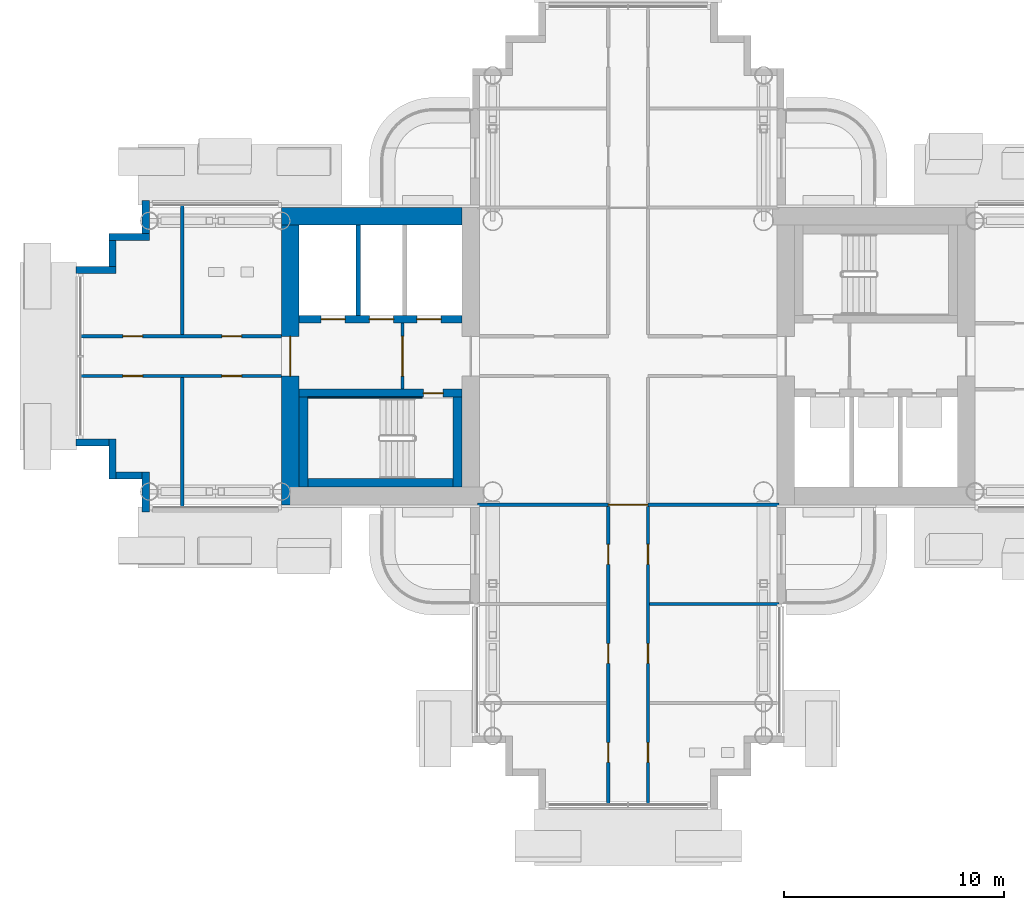
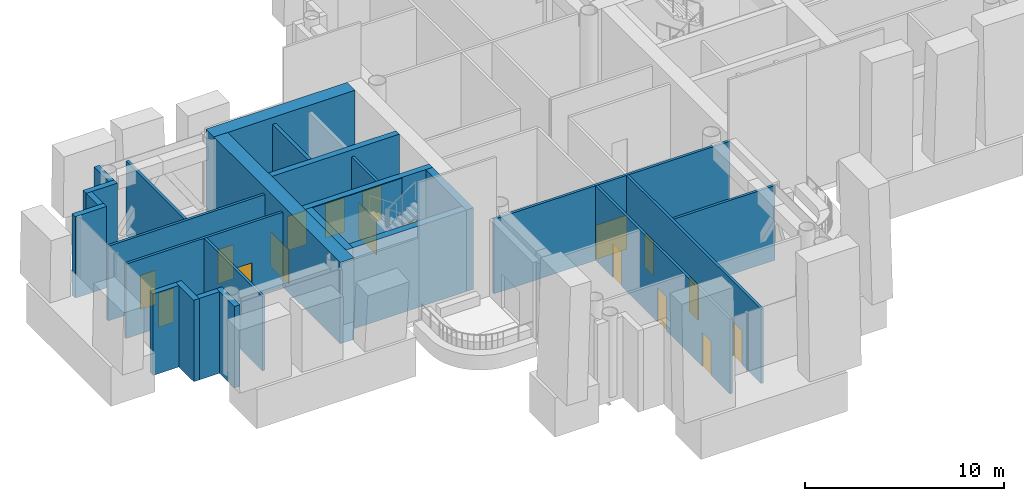
# One storey, part 12 of 34: 26 walls, 17 doors, 17 openings.
"""IFC4 building model written with IfcOpenShell, lengths in metres."""

from ifc_helpers import new_model, si_unit, direction, frame, frame_2d, origin, place, context, subcontext, project, spatial, rectangle, extrude, material, layer, layer_set, type_object, element, fill, save


model = new_model("IFC4")

# Units and contexts
model_context = context("Model", 3, precision=1e-05, world=origin(), true_north=direction((0.0, 1.0)))
body_context = subcontext(model_context, "Body", "Model", "MODEL_VIEW")
ifc_project = project(units=[si_unit("LENGTHUNIT", "METRE"), si_unit("AREAUNIT", "SQUARE_METRE"), si_unit("VOLUMEUNIT", "CUBIC_METRE"), si_unit("PLANEANGLEUNIT", "RADIAN"), si_unit("MASSUNIT", "GRAM", prefix="KILO")], contexts=[model_context])

# Site, building, storey
site_placement = place(None, origin())
site = spatial("IfcSite", under=ifc_project, at=site_placement, CompositionType="ELEMENT")
building_placement = place(site_placement, origin())
building = spatial("IfcBuilding", under=site, at=building_placement, Name="Ipe Terrace Towers", CompositionType="ELEMENT")
storey_placement = place(building_placement, frame((0.0, 0.0, 128.699951171875)))
storey = spatial("IfcBuildingStorey", under=building, at=storey_placement, Name="L35", CompositionType="ELEMENT", Elevation=128.699951171875)

# Walls
ifc_material_1 = material(Name="Concrete C40/50 with buff precast cladding", Category="concrete")
ifc_layer_1 = layer(ifc_material_1, 0.320068359375)
ifc_layer_set_1 = layer_set([ifc_layer_1], Name="BUFF CLADDING WALL 320")
wall_type_1 = type_object("IfcWallType", Name="BUFF CLADDING WALL 320", PredefinedType="STANDARD", material=ifc_layer_set_1)
wall_1_placement = place(storey_placement, frame((-61.070068359375, -3.909912109375, -0.300048828125), z_axis=(0.0, 0.0, 1.0), x_axis=(1.0, 0.0, 0.0)))
element("IfcWall", 1, at=wall_1_placement, inside=storey, type_object=wall_type_1, Name="T1-W-L35-00a wall", PredefinedType="STANDARD", context=body_context, shape_type="SweptSolid", body=[
    extrude(rectangle(XDim=1.5, YDim=0.320068359375, at=frame_2d((0.75, 0.0))), origin(), (0.0, 0.0, 1.0), 5.0),
])
wall_2_placement = place(storey_placement, frame((-59.409912109375, -3.75, -0.300048828125), z_axis=(0.0, 0.0, 1.0), x_axis=(0.0, -1.0, 0.0)))
element("IfcWall", 2, at=wall_2_placement, inside=storey, type_object=wall_type_1, Name="T1-W-L35-01a wall", PredefinedType="STANDARD", context=body_context, shape_type="SweptSolid", body=[
    extrude(rectangle(XDim=1.820068359375, YDim=0.320068359375, at=frame_2d((0.91015625, 0.0))), origin(), (0.0, 0.0, 1.0), 5.0),
])
wall_3_placement = place(storey_placement, frame((-59.25, -5.409912109375, -0.300048828125), z_axis=(0.0, 0.0, 1.0), x_axis=(1.0, 0.0, 0.0)))
element("IfcWall", 3, at=wall_3_placement, inside=storey, type_object=wall_type_1, Name="T1-W-L35-02a wall", PredefinedType="STANDARD", context=body_context, shape_type="SweptSolid", body=[
    extrude(rectangle(XDim=1.179931640625, YDim=0.320068359375, at=frame_2d((0.58984375, 0.0))), origin(), (0.0, 0.0, 1.0), 5.0),
])
wall_4_placement = place(storey_placement, frame((-57.909912109375, -5.25, -0.300048828125), z_axis=(0.0, 0.0, 1.0), x_axis=(0.0, -1.0, 0.0)))
element("IfcWall", 4, at=wall_4_placement, inside=storey, type_object=wall_type_1, Name="T1-W-L35-03a wall", PredefinedType="STANDARD", context=body_context, shape_type="SweptSolid", body=[
    extrude(rectangle(XDim=1.820068359375, YDim=0.320068359375, at=frame_2d((0.91015625, 0.0))), origin(), (0.0, 0.0, 1.0), 5.0),
])
wall_5_placement = place(storey_placement, frame((-57.909912109375, 7.070068359375, -0.300048828125), z_axis=(0.0, 0.0, 1.0), x_axis=(0.0, -1.0, 0.0)))
element("IfcWall", 5, at=wall_5_placement, inside=storey, type_object=wall_type_1, Name="T1-W-L35-47a wall", PredefinedType="STANDARD", context=body_context, shape_type="SweptSolid", body=[
    extrude(rectangle(XDim=1.5, YDim=0.320068359375, at=frame_2d((0.75, 0.0))), origin(), (0.0, 0.0, 1.0), 5.0),
])
wall_6_placement = place(storey_placement, frame((-57.75, 5.409912109375, -0.300048828125), z_axis=(0.0, 0.0, 1.0), x_axis=(-1.0, 0.0, 0.0)))
element("IfcWall", 6, at=wall_6_placement, inside=storey, type_object=wall_type_1, Name="T1-W-L35-48a wall", PredefinedType="STANDARD", context=body_context, shape_type="SweptSolid", body=[
    extrude(rectangle(XDim=1.820068359375, YDim=0.320068359375, at=frame_2d((0.91015625, 0.0))), origin(), (0.0, 0.0, 1.0), 5.0),
])
wall_7_placement = place(storey_placement, frame((-59.409912109375, 5.25, -0.300048828125), z_axis=(0.0, 0.0, 1.0), x_axis=(0.0, -1.0, 0.0)))
element("IfcWall", 7, at=wall_7_placement, inside=storey, type_object=wall_type_1, Name="T1-W-L35-49a wall", PredefinedType="STANDARD", context=body_context, shape_type="SweptSolid", body=[
    extrude(rectangle(XDim=1.179931640625, YDim=0.320068359375, at=frame_2d((0.58984375, 0.0))), origin(), (0.0, 0.0, 1.0), 5.0),
])
wall_8_placement = place(storey_placement, frame((-59.25, 3.909912109375, -0.300048828125), z_axis=(0.0, 0.0, 1.0), x_axis=(-1.0, 0.0, 0.0)))
element("IfcWall", 8, at=wall_8_placement, inside=storey, type_object=wall_type_1, Name="T1-W-L35-50a wall", PredefinedType="STANDARD", context=body_context, shape_type="SweptSolid", body=[
    extrude(rectangle(XDim=1.820068359375, YDim=0.320068359375, at=frame_2d((0.91015625, 0.0))), origin(), (0.0, 0.0, 1.0), 5.0),
])

# Wall, opening, door
ifc_material_2 = material(Name="Gypsum board partition", Category="plasterboard")
ifc_layer_2 = layer(ifc_material_2, 0.14990234375)
ifc_layer_set_2 = layer_set([ifc_layer_2], Name="Gypsum board partition 150 mm")
wall_type_2 = type_object("IfcWallType", Name="Gypsum board partition 150 mm", PredefinedType="PARTITIONING", material=ifc_layer_set_2)
wall_9_placement = place(storey_placement, frame((-46.25, 1.5, 0.0), z_axis=(0.0, 0.0, 1.0), x_axis=(0.0, -1.0, 0.0)))
wall_9 = element("IfcWall", 9, at=wall_9_placement, inside=storey, type_object=wall_type_2, Name="Gypsum board partition T1 L35 t1c2-lobby-wall", PredefinedType="PARTITIONING", context=body_context, shape_type="SweptSolid", body=[
    extrude(rectangle(XDim=3.0, YDim=0.14990234375, at=frame_2d((1.5, 0.0))), origin(), (0.0, 0.0, 1.0), 4.580078125),
])
opening_1_placement = place(wall_9_placement, frame((0.60009765625, 0.0, 0.0)))
opening_1 = element("IfcOpeningElement", 10, at=opening_1_placement, cuts=wall_9, Name="Opening T1C2-VD", PredefinedType="OPENING", context=body_context, shape_type="SweptSolid", body=[
    extrude(rectangle(XDim=1.800048828125, YDim=2.10009765625, at=frame_2d((0.89990234375, 1.050048828125))), frame((0.0, 0.0849609375, 0.0), z_axis=(0.0, -1.0, 0.0), x_axis=(1.0, 0.0, 0.0)), (0.0, 0.0, 1.0), 0.169921875),
])
ifc_material_3 = material(Name="Fire-rated timber door leaf", Category="wood")
door_type_1 = type_object("IfcDoorType", Name="Lobby door 1800 x 2100 FD60", OperationType="NOTDEFINED", PredefinedType="DOOR", material=ifc_material_3)
door_1_placement = place(opening_1_placement, origin())
door_1 = element("IfcDoor", 11, at=door_1_placement, inside=storey, type_object=door_type_1, Name="Lobby door T1C2-VD", OperationType="SINGLE_SWING_LEFT", OverallHeight=2.10009765625, OverallWidth=1.800048828125, PredefinedType="DOOR", context=body_context, shape_type="SweptSolid", body=[
    extrude(rectangle(XDim=1.800048828125, YDim=2.10009765625, at=frame_2d((0.89990234375, 1.050048828125))), frame((0.0, 0.02490234375, 0.0), z_axis=(0.0, -1.0, 0.0), x_axis=(1.0, 0.0, 0.0)), (0.0, 0.0, 1.0), 0.050048828125),
])
fill(opening_1, door_1)

# Wall, openings, doors
wall_10_placement = place(storey_placement, frame((-60.85009765625, 0.89990234375, 0.0), z_axis=(0.0, 0.0, 1.0), x_axis=(1.0, 0.0, 0.0)))
wall_10 = element("IfcWall", 12, at=wall_10_placement, inside=storey, type_object=wall_type_2, Name="Gypsum board partition T1 L35 sp-Lm-wp", PredefinedType="PARTITIONING", context=body_context, shape_type="SweptSolid", body=[
    extrude(rectangle(XDim=9.10009765625, YDim=0.14990234375, at=frame_2d((4.550048828125, 0.0))), origin(), (0.0, 0.0, 1.0), 4.580078125),
])
opening_2_placement = place(wall_10_placement, frame((1.89990234375, 0.0, 0.0)))
opening_2 = element("IfcOpeningElement", 13, at=opening_2_placement, cuts=wall_10, Name="Opening T1-SP-PLm1", PredefinedType="OPENING", context=body_context, shape_type="SweptSolid", body=[
    extrude(rectangle(XDim=0.89990234375, YDim=2.10009765625, at=frame_2d((0.449951171875, 1.050048828125))), frame((0.0, 0.0849609375, 0.0), z_axis=(0.0, -1.0, 0.0), x_axis=(1.0, 0.0, 0.0)), (0.0, 0.0, 1.0), 0.169921875),
])
opening_3_placement = place(wall_10_placement, frame((6.39990234375, 0.0, 0.0)))
opening_3 = element("IfcOpeningElement", 14, at=opening_3_placement, cuts=wall_10, Name="Opening T1-SP-PLm2", PredefinedType="OPENING", context=body_context, shape_type="SweptSolid", body=[
    extrude(rectangle(XDim=0.89990234375, YDim=2.10009765625, at=frame_2d((0.449951171875, 1.050048828125))), frame((0.0, 0.0849609375, 0.0), z_axis=(0.0, -1.0, 0.0), x_axis=(1.0, 0.0, 0.0)), (0.0, 0.0, 1.0), 0.169921875),
])
ifc_material_4 = material(Name="Timber door leaf", Category="wood")
door_type_2 = type_object("IfcDoorType", Name="Lounge door 900 x 2100", OperationType="NOTDEFINED", PredefinedType="DOOR", material=ifc_material_4)
door_2_placement = place(opening_3_placement, origin())
door_2 = element("IfcDoor", 15, at=door_2_placement, inside=storey, type_object=door_type_2, Name="Lounge door T1-SP-PLm2", OperationType="SINGLE_SWING_LEFT", OverallHeight=2.10009765625, OverallWidth=0.89990234375, PredefinedType="DOOR", context=body_context, shape_type="SweptSolid", body=[
    extrude(rectangle(XDim=0.89990234375, YDim=2.10009765625, at=frame_2d((0.449951171875, 1.050048828125))), frame((0.0, 0.02490234375, 0.0), z_axis=(0.0, -1.0, 0.0), x_axis=(1.0, 0.0, 0.0)), (0.0, 0.0, 1.0), 0.050048828125),
])
fill(opening_3, door_2)
ifc_material_5 = material(Name="Fire-rated timber door leaf", Category="wood")
door_type_3 = type_object("IfcDoorType", Name="Lounge door 900 x 2100 FD30S", OperationType="NOTDEFINED", PredefinedType="DOOR", material=ifc_material_5)
door_3_placement = place(opening_2_placement, origin())
door_3 = element("IfcDoor", 16, at=door_3_placement, inside=storey, type_object=door_type_3, Name="Lounge door T1-SP-PLm1", OperationType="SINGLE_SWING_RIGHT", OverallHeight=2.10009765625, OverallWidth=0.89990234375, PredefinedType="DOOR", context=body_context, shape_type="SweptSolid", body=[
    extrude(rectangle(XDim=0.89990234375, YDim=2.10009765625, at=frame_2d((0.449951171875, 1.050048828125))), frame((0.0, 0.02490234375, 0.0), z_axis=(0.0, -1.0, 0.0), x_axis=(1.0, 0.0, 0.0)), (0.0, 0.0, 1.0), 0.050048828125),
])
fill(opening_2, door_3)

# Wall
wall_11_placement = place(storey_placement, frame((-56.25, 0.97509765625, 0.0), z_axis=(0.0, 0.0, 1.0), x_axis=(0.0, 1.0, 0.0)))
element("IfcWall", 17, at=wall_11_placement, inside=storey, type_object=wall_type_2, Name="Gypsum board partition T1 L35 sp-Lm-dp1", PredefinedType="PARTITIONING", context=body_context, shape_type="SweptSolid", body=[
    extrude(rectangle(XDim=5.875, YDim=0.14990234375, at=frame_2d((2.9375, 0.0))), origin(), (0.0, 0.0, 1.0), 4.580078125),
])

# Wall, openings, doors
wall_12_placement = place(storey_placement, frame((-60.85009765625, -0.89990234375, 0.0), z_axis=(0.0, 0.0, 1.0), x_axis=(1.0, 0.0, 0.0)))
wall_12 = element("IfcWall", 18, at=wall_12_placement, inside=storey, type_object=wall_type_2, Name="Gypsum board partition T1 L35 sp-Lm-wm", PredefinedType="PARTITIONING", context=body_context, shape_type="SweptSolid", body=[
    extrude(rectangle(XDim=9.10009765625, YDim=0.14990234375, at=frame_2d((4.550048828125, 0.0))), origin(), (0.0, 0.0, 1.0), 4.580078125),
])
opening_4_placement = place(wall_12_placement, frame((1.89990234375, 0.0, 0.0)))
opening_4 = element("IfcOpeningElement", 19, at=opening_4_placement, cuts=wall_12, Name="Opening T1-SP-MLm1", PredefinedType="OPENING", context=body_context, shape_type="SweptSolid", body=[
    extrude(rectangle(XDim=0.89990234375, YDim=2.10009765625, at=frame_2d((0.449951171875, 1.050048828125))), frame((0.0, 0.0849609375, 0.0), z_axis=(0.0, -1.0, 0.0), x_axis=(1.0, 0.0, 0.0)), (0.0, 0.0, 1.0), 0.169921875),
])
opening_5_placement = place(wall_12_placement, frame((6.39990234375, 0.0, 0.0)))
opening_5 = element("IfcOpeningElement", 20, at=opening_5_placement, cuts=wall_12, Name="Opening T1-SP-MLm2", PredefinedType="OPENING", context=body_context, shape_type="SweptSolid", body=[
    extrude(rectangle(XDim=0.89990234375, YDim=2.10009765625, at=frame_2d((0.449951171875, 1.050048828125))), frame((0.0, 0.0849609375, 0.0), z_axis=(0.0, -1.0, 0.0), x_axis=(1.0, 0.0, 0.0)), (0.0, 0.0, 1.0), 0.169921875),
])
door_4_placement = place(opening_4_placement, origin())
door_4 = element("IfcDoor", 21, at=door_4_placement, inside=storey, type_object=door_type_3, Name="Lounge door T1-SP-MLm1", OperationType="SINGLE_SWING_LEFT", OverallHeight=2.10009765625, OverallWidth=0.89990234375, PredefinedType="DOOR", context=body_context, shape_type="SweptSolid", body=[
    extrude(rectangle(XDim=0.89990234375, YDim=2.10009765625, at=frame_2d((0.449951171875, 1.050048828125))), frame((0.0, 0.02490234375, 0.0), z_axis=(0.0, -1.0, 0.0), x_axis=(1.0, 0.0, 0.0)), (0.0, 0.0, 1.0), 0.050048828125),
])
fill(opening_4, door_4)
door_5_placement = place(opening_5_placement, origin())
door_5 = element("IfcDoor", 22, at=door_5_placement, inside=storey, type_object=door_type_3, Name="Lounge door T1-SP-MLm2", OperationType="SINGLE_SWING_RIGHT", OverallHeight=2.10009765625, OverallWidth=0.89990234375, PredefinedType="DOOR", context=body_context, shape_type="SweptSolid", body=[
    extrude(rectangle(XDim=0.89990234375, YDim=2.10009765625, at=frame_2d((0.449951171875, 1.050048828125))), frame((0.0, 0.02490234375, 0.0), z_axis=(0.0, -1.0, 0.0), x_axis=(1.0, 0.0, 0.0)), (0.0, 0.0, 1.0), 0.050048828125),
])
fill(opening_5, door_5)

# Wall
wall_13_placement = place(storey_placement, frame((-56.25, -0.97509765625, 0.0), z_axis=(0.0, 0.0, 1.0), x_axis=(0.0, -1.0, 0.0)))
element("IfcWall", 23, at=wall_13_placement, inside=storey, type_object=wall_type_2, Name="Gypsum board partition T1 L35 sp-Lm-dm1", PredefinedType="PARTITIONING", context=body_context, shape_type="SweptSolid", body=[
    extrude(rectangle(XDim=5.875, YDim=0.14990234375, at=frame_2d((2.9375, 0.0))), origin(), (0.0, 0.0, 1.0), 4.580078125),
])

# Wall, opening, door
wall_14_placement = place(storey_placement, frame((-42.85009765625, -6.75, 0.0), z_axis=(0.0, 0.0, 1.0), x_axis=(1.0, 0.0, 0.0)))
wall_14 = element("IfcWall", 24, at=wall_14_placement, inside=storey, type_object=wall_type_2, Name="Gypsum board partition T1 L35 sp-Sm-mouth", PredefinedType="PARTITIONING", context=body_context, shape_type="SweptSolid", body=[
    extrude(rectangle(XDim=13.7001953125, YDim=0.14990234375, at=frame_2d((6.85009765625, 0.0))), origin(), (0.0, 0.0, 1.0), 4.580078125),
])
opening_6_placement = place(wall_14_placement, frame((5.949951171875, 0.0, 0.0)))
opening_6 = element("IfcOpeningElement", 25, at=opening_6_placement, cuts=wall_14, Name="Opening T1-SP-MSm", PredefinedType="OPENING", context=body_context, shape_type="SweptSolid", body=[
    extrude(rectangle(XDim=1.800048828125, YDim=2.10009765625, at=frame_2d((0.89990234375, 1.050048828125))), frame((0.0, 0.0849609375, 0.0), z_axis=(0.0, -1.0, 0.0), x_axis=(1.0, 0.0, 0.0)), (0.0, 0.0, 1.0), 0.169921875),
])
ifc_material_6 = material(Name="Fire-rated timber door leaf", Category="wood")
door_type_4 = type_object("IfcDoorType", Name="Lobby door 1800 x 2100 FD30S", OperationType="NOTDEFINED", PredefinedType="DOOR", material=ifc_material_6)
door_6_placement = place(opening_6_placement, origin())
door_6 = element("IfcDoor", 26, at=door_6_placement, inside=storey, type_object=door_type_4, Name="Lobby door T1-SP-MSm", OperationType="SINGLE_SWING_RIGHT", OverallHeight=2.10009765625, OverallWidth=1.800048828125, PredefinedType="DOOR", context=body_context, shape_type="SweptSolid", body=[
    extrude(rectangle(XDim=1.800048828125, YDim=2.10009765625, at=frame_2d((0.89990234375, 1.050048828125))), frame((0.0, 0.02490234375, 0.0), z_axis=(0.0, -1.0, 0.0), x_axis=(1.0, 0.0, 0.0)), (0.0, 0.0, 1.0), 0.050048828125),
])
fill(opening_6, door_6)

# Wall, openings, doors
wall_15_placement = place(storey_placement, frame((-35.10009765625, -20.35009765625, 0.0), z_axis=(0.0, 0.0, 1.0), x_axis=(0.0, 1.0, 0.0)))
wall_15 = element("IfcWall", 27, at=wall_15_placement, inside=storey, type_object=wall_type_2, Name="Gypsum board partition T1 L35 sp-Sm-wp", PredefinedType="PARTITIONING", context=body_context, shape_type="SweptSolid", body=[
    extrude(rectangle(XDim=13.525146484375, YDim=0.14990234375, at=frame_2d((6.7626953125, 0.0))), origin(), (0.0, 0.0, 1.0), 4.580078125),
])
opening_7_placement = place(wall_15_placement, frame((1.89990234375, 0.0, 0.0)))
opening_7 = element("IfcOpeningElement", 28, at=opening_7_placement, cuts=wall_15, Name="Opening T1-SP-PSm1-NR", PredefinedType="OPENING", context=body_context, shape_type="SweptSolid", body=[
    extrude(rectangle(XDim=0.89990234375, YDim=2.10009765625, at=frame_2d((0.449951171875, 1.050048828125))), frame((0.0, 0.0849609375, 0.0), z_axis=(0.0, -1.0, 0.0), x_axis=(1.0, 0.0, 0.0)), (0.0, 0.0, 1.0), 0.169921875),
])
opening_8_placement = place(wall_15_placement, frame((6.39990234375, 0.0, 0.0)))
opening_8 = element("IfcOpeningElement", 29, at=opening_8_placement, cuts=wall_15, Name="Opening T1-SP-PSm2", PredefinedType="OPENING", context=body_context, shape_type="SweptSolid", body=[
    extrude(rectangle(XDim=0.89990234375, YDim=2.10009765625, at=frame_2d((0.449951171875, 1.050048828125))), frame((0.0, 0.0849609375, 0.0), z_axis=(0.0, -1.0, 0.0), x_axis=(1.0, 0.0, 0.0)), (0.0, 0.0, 1.0), 0.169921875),
])
opening_9_placement = place(wall_15_placement, frame((10.89990234375, 0.0, 0.0)))
opening_9 = element("IfcOpeningElement", 30, at=opening_9_placement, cuts=wall_15, Name="Opening T1-SP-PSm3", PredefinedType="OPENING", context=body_context, shape_type="SweptSolid", body=[
    extrude(rectangle(XDim=0.89990234375, YDim=2.10009765625, at=frame_2d((0.449951171875, 1.050048828125))), frame((0.0, 0.0849609375, 0.0), z_axis=(0.0, -1.0, 0.0), x_axis=(1.0, 0.0, 0.0)), (0.0, 0.0, 1.0), 0.169921875),
])
door_7_placement = place(opening_7_placement, origin())
door_7 = element("IfcDoor", 31, at=door_7_placement, inside=storey, type_object=door_type_2, Name="Lounge door T1-SP-PSm1-NR", OperationType="SINGLE_SWING_LEFT", OverallHeight=2.10009765625, OverallWidth=0.89990234375, PredefinedType="DOOR", context=body_context, shape_type="SweptSolid", body=[
    extrude(rectangle(XDim=0.89990234375, YDim=2.10009765625, at=frame_2d((0.449951171875, 1.050048828125))), frame((0.0, 0.02490234375, 0.0), z_axis=(0.0, -1.0, 0.0), x_axis=(1.0, 0.0, 0.0)), (0.0, 0.0, 1.0), 0.050048828125),
])
fill(opening_7, door_7)
door_8_placement = place(opening_8_placement, origin())
door_8 = element("IfcDoor", 32, at=door_8_placement, inside=storey, type_object=door_type_3, Name="Lounge door T1-SP-PSm2", OperationType="SINGLE_SWING_RIGHT", OverallHeight=2.10009765625, OverallWidth=0.89990234375, PredefinedType="DOOR", context=body_context, shape_type="SweptSolid", body=[
    extrude(rectangle(XDim=0.89990234375, YDim=2.10009765625, at=frame_2d((0.449951171875, 1.050048828125))), frame((0.0, 0.02490234375, 0.0), z_axis=(0.0, -1.0, 0.0), x_axis=(1.0, 0.0, 0.0)), (0.0, 0.0, 1.0), 0.050048828125),
])
fill(opening_8, door_8)
door_9_placement = place(opening_9_placement, origin())
door_9 = element("IfcDoor", 33, at=door_9_placement, inside=storey, type_object=door_type_3, Name="Lounge door T1-SP-PSm3", OperationType="SINGLE_SWING_LEFT", OverallHeight=2.10009765625, OverallWidth=0.89990234375, PredefinedType="DOOR", context=body_context, shape_type="SweptSolid", body=[
    extrude(rectangle(XDim=0.89990234375, YDim=2.10009765625, at=frame_2d((0.449951171875, 1.050048828125))), frame((0.0, 0.02490234375, 0.0), z_axis=(0.0, -1.0, 0.0), x_axis=(1.0, 0.0, 0.0)), (0.0, 0.0, 1.0), 0.050048828125),
])
fill(opening_9, door_9)

# Wall
wall_16_placement = place(storey_placement, frame((-35.02490234375, -11.25, 0.0), z_axis=(0.0, 0.0, 1.0), x_axis=(1.0, 0.0, 0.0)))
element("IfcWall", 34, at=wall_16_placement, inside=storey, type_object=wall_type_2, Name="Gypsum board partition T1 L35 sp-Sm-dp2", PredefinedType="PARTITIONING", context=body_context, shape_type="SweptSolid", body=[
    extrude(rectangle(XDim=5.875, YDim=0.14990234375, at=frame_2d((2.9375, 0.0))), origin(), (0.0, 0.0, 1.0), 4.580078125),
])

# Wall, openings, doors
wall_17_placement = place(storey_placement, frame((-36.89990234375, -20.35009765625, 0.0), z_axis=(0.0, 0.0, 1.0), x_axis=(0.0, 1.0, 0.0)))
wall_17 = element("IfcWall", 35, at=wall_17_placement, inside=storey, type_object=wall_type_2, Name="Gypsum board partition T1 L35 sp-Sm-wm", PredefinedType="PARTITIONING", context=body_context, shape_type="SweptSolid", body=[
    extrude(rectangle(XDim=13.525146484375, YDim=0.14990234375, at=frame_2d((6.7626953125, 0.0))), origin(), (0.0, 0.0, 1.0), 4.580078125),
])
opening_10_placement = place(wall_17_placement, frame((1.89990234375, 0.0, 0.0)))
opening_10 = element("IfcOpeningElement", 36, at=opening_10_placement, cuts=wall_17, Name="Opening T1-SP-MSm1", PredefinedType="OPENING", context=body_context, shape_type="SweptSolid", body=[
    extrude(rectangle(XDim=0.89990234375, YDim=2.10009765625, at=frame_2d((0.449951171875, 1.050048828125))), frame((0.0, 0.0849609375, 0.0), z_axis=(0.0, -1.0, 0.0), x_axis=(1.0, 0.0, 0.0)), (0.0, 0.0, 1.0), 0.169921875),
])
opening_11_placement = place(wall_17_placement, frame((6.39990234375, 0.0, 0.0)))
opening_11 = element("IfcOpeningElement", 37, at=opening_11_placement, cuts=wall_17, Name="Opening T1-SP-MSm2", PredefinedType="OPENING", context=body_context, shape_type="SweptSolid", body=[
    extrude(rectangle(XDim=0.89990234375, YDim=2.10009765625, at=frame_2d((0.449951171875, 1.050048828125))), frame((0.0, 0.0849609375, 0.0), z_axis=(0.0, -1.0, 0.0), x_axis=(1.0, 0.0, 0.0)), (0.0, 0.0, 1.0), 0.169921875),
])
opening_12_placement = place(wall_17_placement, frame((10.89990234375, 0.0, 0.0)))
opening_12 = element("IfcOpeningElement", 38, at=opening_12_placement, cuts=wall_17, Name="Opening T1-SP-MSm3-FD30S", PredefinedType="OPENING", context=body_context, shape_type="SweptSolid", body=[
    extrude(rectangle(XDim=0.89990234375, YDim=2.10009765625, at=frame_2d((0.449951171875, 1.050048828125))), frame((0.0, 0.0849609375, 0.0), z_axis=(0.0, -1.0, 0.0), x_axis=(1.0, 0.0, 0.0)), (0.0, 0.0, 1.0), 0.169921875),
])
door_10_placement = place(opening_10_placement, origin())
door_10 = element("IfcDoor", 39, at=door_10_placement, inside=storey, type_object=door_type_3, Name="Lounge door T1-SP-MSm1", OperationType="SINGLE_SWING_RIGHT", OverallHeight=2.10009765625, OverallWidth=0.89990234375, PredefinedType="DOOR", context=body_context, shape_type="SweptSolid", body=[
    extrude(rectangle(XDim=0.89990234375, YDim=2.10009765625, at=frame_2d((0.449951171875, 1.050048828125))), frame((0.0, 0.02490234375, 0.0), z_axis=(0.0, -1.0, 0.0), x_axis=(1.0, 0.0, 0.0)), (0.0, 0.0, 1.0), 0.050048828125),
])
fill(opening_10, door_10)
door_11_placement = place(opening_11_placement, origin())
door_11 = element("IfcDoor", 40, at=door_11_placement, inside=storey, type_object=door_type_3, Name="Lounge door T1-SP-MSm2", OperationType="SINGLE_SWING_LEFT", OverallHeight=2.10009765625, OverallWidth=0.89990234375, PredefinedType="DOOR", context=body_context, shape_type="SweptSolid", body=[
    extrude(rectangle(XDim=0.89990234375, YDim=2.10009765625, at=frame_2d((0.449951171875, 1.050048828125))), frame((0.0, 0.02490234375, 0.0), z_axis=(0.0, -1.0, 0.0), x_axis=(1.0, 0.0, 0.0)), (0.0, 0.0, 1.0), 0.050048828125),
])
fill(opening_11, door_11)
door_12_placement = place(opening_12_placement, origin())
door_12 = element("IfcDoor", 41, at=door_12_placement, inside=storey, type_object=door_type_3, Name="Lounge door T1-SP-MSm3-FD30S", OperationType="SINGLE_SWING_RIGHT", OverallHeight=2.10009765625, OverallWidth=0.89990234375, PredefinedType="DOOR", context=body_context, shape_type="SweptSolid", body=[
    extrude(rectangle(XDim=0.89990234375, YDim=2.10009765625, at=frame_2d((0.449951171875, 1.050048828125))), frame((0.0, 0.02490234375, 0.0), z_axis=(0.0, -1.0, 0.0), x_axis=(1.0, 0.0, 0.0)), (0.0, 0.0, 1.0), 0.050048828125),
])
fill(opening_12, door_12)

# Wall
ifc_material_7 = material(Name="Gypsum board party wall", Category="plasterboard")
ifc_layer_3 = layer(ifc_material_7, 0.199951171875)
ifc_layer_set_3 = layer_set([ifc_layer_3], Name="Gypsum board party wall 200 mm")
wall_type_3 = type_object("IfcWallType", Name="Gypsum board party wall 200 mm", PredefinedType="SOLIDWALL", material=ifc_layer_set_3)
wall_18_placement = place(storey_placement, frame((-48.25, 5.949951171875, 0.0), z_axis=(0.0, 0.0, 1.0), x_axis=(0.0, -1.0, 0.0)))
element("IfcWall", 42, at=wall_18_placement, inside=storey, type_object=wall_type_3, Name="Gypsum board party wall T1 L35 t1c2-shaft-div2", PredefinedType="SOLIDWALL", context=body_context, shape_type="SweptSolid", body=[
    extrude(rectangle(XDim=4.099853515625, YDim=0.199951171875, at=frame_2d((2.0498046875, 0.0))), origin(), (0.0, 0.0, 1.0), 4.580078125),
])

# Wall, opening, door
ifc_material_8 = material(Name="Concrete C50/60", Category="concrete")
ifc_layer_4 = layer(ifc_material_8, 0.35009765625)
ifc_layer_set_4 = layer_set([ifc_layer_4], Name="RW350 CORE SPINE WALL 350 C50-60")
wall_type_4 = type_object("IfcWallType", Name="RW350 CORE SPINE WALL 350 C50-60", PredefinedType="SHEAR", material=ifc_layer_set_4)
wall_19_placement = place(storey_placement, frame((-50.949951171875, -1.675048828125, 0.0), z_axis=(0.0, 0.0, 1.0), x_axis=(1.0, 0.0, 0.0)))
wall_19 = element("IfcWall", 43, at=wall_19_placement, inside=storey, type_object=wall_type_4, Name="Core spine wall T1-C2-Z3-SW1", PredefinedType="SHEAR", context=body_context, shape_type="SweptSolid", body=[
    extrude(rectangle(XDim=7.39990234375, YDim=0.35009765625, at=frame_2d((3.699951171875, 0.0))), origin(), (0.0, 0.0, 1.0), 5.0),
])
opening_13_placement = place(wall_19_placement, frame((5.64990234375, 0.0, 0.0)))
opening_13 = element("IfcOpeningElement", 44, at=opening_13_placement, cuts=wall_19, Name="Opening T1C2-SD", PredefinedType="OPENING", context=body_context, shape_type="SweptSolid", body=[
    extrude(rectangle(XDim=0.89990234375, YDim=2.10009765625, at=frame_2d((0.449951171875, 1.050048828125))), frame((0.0, 0.18505859375, 0.0), z_axis=(0.0, -1.0, 0.0), x_axis=(1.0, 0.0, 0.0)), (0.0, 0.0, 1.0), 0.3701171875),
])
ifc_material_9 = material(Name="Fire-rated timber door leaf", Category="wood")
door_type_5 = type_object("IfcDoorType", Name="Stair door 900 x 2100 FD60", OperationType="NOTDEFINED", PredefinedType="DOOR", material=ifc_material_9)
door_13_placement = place(opening_13_placement, origin())
door_13 = element("IfcDoor", 45, at=door_13_placement, inside=storey, type_object=door_type_5, Name="Stair door T1C2-SD", OperationType="SINGLE_SWING_RIGHT", OverallHeight=2.10009765625, OverallWidth=0.89990234375, PredefinedType="DOOR", context=body_context, shape_type="SweptSolid", body=[
    extrude(rectangle(XDim=0.89990234375, YDim=2.10009765625, at=frame_2d((0.449951171875, 1.050048828125))), frame((0.0, 0.02490234375, 0.0), z_axis=(0.0, -1.0, 0.0), x_axis=(1.0, 0.0, 0.0)), (0.0, 0.0, 1.0), 0.050048828125),
])
fill(opening_13, door_13)

# Wall, openings, doors
wall_20_placement = place(storey_placement, frame((-50.949951171875, 1.675048828125, 0.0), z_axis=(0.0, 0.0, 1.0), x_axis=(1.0, 0.0, 0.0)))
wall_20 = element("IfcWall", 46, at=wall_20_placement, inside=storey, type_object=wall_type_4, Name="Core spine wall T1-C2-Z3-SW2", PredefinedType="SHEAR", context=body_context, shape_type="SweptSolid", body=[
    extrude(rectangle(XDim=7.39990234375, YDim=0.35009765625, at=frame_2d((3.699951171875, 0.0))), origin(), (0.0, 0.0, 1.0), 5.0),
])
opening_14_placement = place(wall_20_placement, frame((5.35009765625, 0.0, 0.0)))
opening_14 = element("IfcOpeningElement", 47, at=opening_14_placement, cuts=wall_20, Name="Opening T1C2-LD1", PredefinedType="OPENING", context=body_context, shape_type="SweptSolid", body=[
    extrude(rectangle(XDim=1.10009765625, YDim=2.10009765625, at=frame_2d((0.550048828125, 1.050048828125))), frame((0.0, 0.18505859375, 0.0), z_axis=(0.0, -1.0, 0.0), x_axis=(1.0, 0.0, 0.0)), (0.0, 0.0, 1.0), 0.3701171875),
])
opening_15_placement = place(wall_20_placement, frame((3.199951171875, 0.0, 0.0)))
opening_15 = element("IfcOpeningElement", 48, at=opening_15_placement, cuts=wall_20, Name="Opening T1C2-LD2", PredefinedType="OPENING", context=body_context, shape_type="SweptSolid", body=[
    extrude(rectangle(XDim=1.10009765625, YDim=2.10009765625, at=frame_2d((0.550048828125, 1.050048828125))), frame((0.0, 0.18505859375, 0.0), z_axis=(0.0, -1.0, 0.0), x_axis=(1.0, 0.0, 0.0)), (0.0, 0.0, 1.0), 0.3701171875),
])
opening_16_placement = place(wall_20_placement, frame((1.0, 0.0, 0.0)))
opening_16 = element("IfcOpeningElement", 49, at=opening_16_placement, cuts=wall_20, Name="Opening T1C2-LD3", PredefinedType="OPENING", context=body_context, shape_type="SweptSolid", body=[
    extrude(rectangle(XDim=1.10009765625, YDim=2.10009765625, at=frame_2d((0.550048828125, 1.050048828125))), frame((0.0, 0.18505859375, 0.0), z_axis=(0.0, -1.0, 0.0), x_axis=(1.0, 0.0, 0.0)), (0.0, 0.0, 1.0), 0.3701171875),
])
ifc_material_10 = material(Name="Fire-rated timber door leaf", Category="wood")
door_type_6 = type_object("IfcDoorType", Name="Sliding door 1100 x 2100 FD60", OperationType="SLIDING_TO_LEFT", PredefinedType="DOOR", material=ifc_material_10)
door_14_placement = place(opening_14_placement, origin())
door_14 = element("IfcDoor", 50, at=door_14_placement, inside=storey, type_object=door_type_6, Name="Sliding door T1C2-LD1", OperationType="SLIDING_TO_LEFT", OverallHeight=2.10009765625, OverallWidth=1.10009765625, PredefinedType="DOOR", context=body_context, shape_type="SweptSolid", body=[
    extrude(rectangle(XDim=1.10009765625, YDim=2.10009765625, at=frame_2d((0.550048828125, 1.050048828125))), frame((0.0, 0.02490234375, 0.0), z_axis=(0.0, -1.0, 0.0), x_axis=(1.0, 0.0, 0.0)), (0.0, 0.0, 1.0), 0.050048828125),
])
fill(opening_14, door_14)
door_15_placement = place(opening_15_placement, origin())
door_15 = element("IfcDoor", 51, at=door_15_placement, inside=storey, type_object=door_type_6, Name="Sliding door T1C2-LD2", OperationType="SLIDING_TO_LEFT", OverallHeight=2.10009765625, OverallWidth=1.10009765625, PredefinedType="DOOR", context=body_context, shape_type="SweptSolid", body=[
    extrude(rectangle(XDim=1.10009765625, YDim=2.10009765625, at=frame_2d((0.550048828125, 1.050048828125))), frame((0.0, 0.02490234375, 0.0), z_axis=(0.0, -1.0, 0.0), x_axis=(1.0, 0.0, 0.0)), (0.0, 0.0, 1.0), 0.050048828125),
])
fill(opening_15, door_15)
door_16_placement = place(opening_16_placement, origin())
door_16 = element("IfcDoor", 52, at=door_16_placement, inside=storey, type_object=door_type_6, Name="Sliding door T1C2-LD3", OperationType="SLIDING_TO_LEFT", OverallHeight=2.10009765625, OverallWidth=1.10009765625, PredefinedType="DOOR", context=body_context, shape_type="SweptSolid", body=[
    extrude(rectangle(XDim=1.10009765625, YDim=2.10009765625, at=frame_2d((0.550048828125, 1.050048828125))), frame((0.0, 0.02490234375, 0.0), z_axis=(0.0, -1.0, 0.0), x_axis=(1.0, 0.0, 0.0)), (0.0, 0.0, 1.0), 0.050048828125),
])
fill(opening_16, door_16)

# Walls
ifc_material_11 = material(Name="Concrete C50/60", Category="concrete")
ifc_layer_5 = layer(ifc_material_11, 0.39990234375)
ifc_layer_set_5 = layer_set([ifc_layer_5], Name="RW400 CORE INFILL WALL 400 C50-60")
wall_type_5 = type_object("IfcWallType", Name="RW400 CORE INFILL WALL 400 C50-60", PredefinedType="SHEAR", material=ifc_layer_set_5)
wall_21_placement = place(storey_placement, frame((-50.75, -1.85009765625, 0.0), z_axis=(0.0, 0.0, 1.0), x_axis=(0.0, -1.0, 0.0)))
element("IfcWall", 53, at=wall_21_placement, inside=storey, type_object=wall_type_5, Name="Core infill wall T1-C2-far", PredefinedType="SHEAR", context=body_context, shape_type="SweptSolid", body=[
    extrude(rectangle(XDim=4.099853515625, YDim=0.39990234375, at=frame_2d((2.0498046875, 0.0))), origin(), (0.0, 0.0, 1.0), 5.0),
])
wall_22_placement = place(storey_placement, frame((-43.949951171875, -5.75, 0.0), z_axis=(0.0, 0.0, 1.0), x_axis=(-1.0, 0.0, 0.0)))
element("IfcWall", 54, at=wall_22_placement, inside=storey, type_object=wall_type_5, Name="Core infill wall T1-C2-back", PredefinedType="SHEAR", context=body_context, shape_type="SweptSolid", body=[
    extrude(rectangle(XDim=6.60009765625, YDim=0.39990234375, at=frame_2d((3.300048828125, 0.0))), origin(), (0.0, 0.0, 1.0), 5.0),
])
wall_23_placement = place(storey_placement, frame((-43.75, -1.85009765625, 0.0), z_axis=(0.0, 0.0, 1.0), x_axis=(0.0, -1.0, 0.0)))
element("IfcWall", 55, at=wall_23_placement, inside=storey, type_object=wall_type_5, Name="Core infill wall T1-C2-near", PredefinedType="SHEAR", context=body_context, shape_type="SweptSolid", body=[
    extrude(rectangle(XDim=4.099853515625, YDim=0.39990234375, at=frame_2d((2.0498046875, 0.0))), origin(), (0.0, 0.0, 1.0), 5.0),
])
ifc_material_12 = material(Name="Concrete C50/60", Category="concrete")
ifc_layer_6 = layer(ifc_material_12, 0.050048828125)
ifc_layer_set_6 = layer_set([ifc_layer_6], Name="RW50 CORE INFILL WALL 50 C50-60")
wall_type_6 = type_object("IfcWallType", Name="RW50 CORE INFILL WALL 50 C50-60", PredefinedType="SHEAR", material=ifc_layer_set_6)
wall_24_placement = place(storey_placement, frame((-45.35009765625, -1.875, 0.0), z_axis=(0.0, 0.0, 1.0), x_axis=(-1.0, 0.0, 0.0)))
element("IfcWall", 56, at=wall_24_placement, inside=storey, type_object=wall_type_6, Name="Core infill wall T1-C2-spine-b", PredefinedType="SHEAR", context=body_context, shape_type="SweptSolid", body=[
    extrude(rectangle(XDim=5.199951171875, YDim=0.050048828125, at=frame_2d((2.60009765625, 0.0))), origin(), (0.0, 0.0, 1.0), 5.0),
])
ifc_material_13 = material(Name="Concrete C50/60", Category="concrete")
ifc_layer_7 = layer(ifc_material_13, 0.800048828125)
ifc_layer_set_7 = layer_set([ifc_layer_7], Name="RW800 CORE WALL 800 C50-60")
wall_type_7 = type_object("IfcWallType", Name="RW800 CORE WALL 800 C50-60", PredefinedType="SHEAR", material=ifc_layer_set_7)
wall_25_placement = place(storey_placement, frame((-43.550048828125, 6.35009765625, 0.0), z_axis=(0.0, 0.0, 1.0), x_axis=(-1.0, 0.0, 0.0)))
element("IfcWall", 57, at=wall_25_placement, inside=storey, type_object=wall_type_7, Name="Core wall T1-C2-Z3-W03", PredefinedType="SHEAR", context=body_context, shape_type="SweptSolid", body=[
    extrude(rectangle(XDim=8.199951171875, YDim=0.800048828125, at=frame_2d((4.10009765625, 0.0))), origin(), (0.0, 0.0, 1.0), 5.0),
])

# Wall, opening, door
wall_26_placement = place(storey_placement, frame((-51.35009765625, 5.949951171875, 0.0), z_axis=(0.0, 0.0, 1.0), x_axis=(0.0, -1.0, 0.0)))
wall_26 = element("IfcWall", 58, at=wall_26_placement, inside=storey, type_object=wall_type_7, Name="Core wall T1-C2-Z3-W04", PredefinedType="SHEAR", context=body_context, shape_type="SweptSolid", body=[
    extrude(rectangle(XDim=12.699951171875, YDim=0.800048828125, at=frame_2d((6.35009765625, 0.0))), origin(), (0.0, 0.0, 1.0), 5.0),
])
opening_17_placement = place(wall_26_placement, frame((5.050048828125, 0.0, 0.0)))
opening_17 = element("IfcOpeningElement", 59, at=opening_17_placement, cuts=wall_26, Name="Opening T1C2-FD", PredefinedType="OPENING", context=body_context, shape_type="SweptSolid", body=[
    extrude(rectangle(XDim=1.800048828125, YDim=2.10009765625, at=frame_2d((0.89990234375, 1.050048828125))), frame((0.0, 0.41015625, 0.0), z_axis=(0.0, -1.0, 0.0), x_axis=(1.0, 0.0, 0.0)), (0.0, 0.0, 1.0), 0.820068359375),
])
ifc_material_14 = material(Name="Fire-rated timber door leaf", Category="wood")
door_type_7 = type_object("IfcDoorType", Name="Fire door 1800 x 2100 FD30S", OperationType="NOTDEFINED", PredefinedType="DOOR", material=ifc_material_14)
door_17_placement = place(opening_17_placement, origin())
door_17 = element("IfcDoor", 60, at=door_17_placement, inside=storey, type_object=door_type_7, Name="Fire door T1C2-FD", OperationType="SINGLE_SWING_LEFT", OverallHeight=2.10009765625, OverallWidth=1.800048828125, PredefinedType="DOOR", context=body_context, shape_type="SweptSolid", body=[
    extrude(rectangle(XDim=1.800048828125, YDim=2.10009765625, at=frame_2d((0.89990234375, 1.050048828125))), frame((0.0, 0.02490234375, 0.0), z_axis=(0.0, -1.0, 0.0), x_axis=(1.0, 0.0, 0.0)), (0.0, 0.0, 1.0), 0.050048828125),
])
fill(opening_17, door_17)

save(model, "model.ifc")
